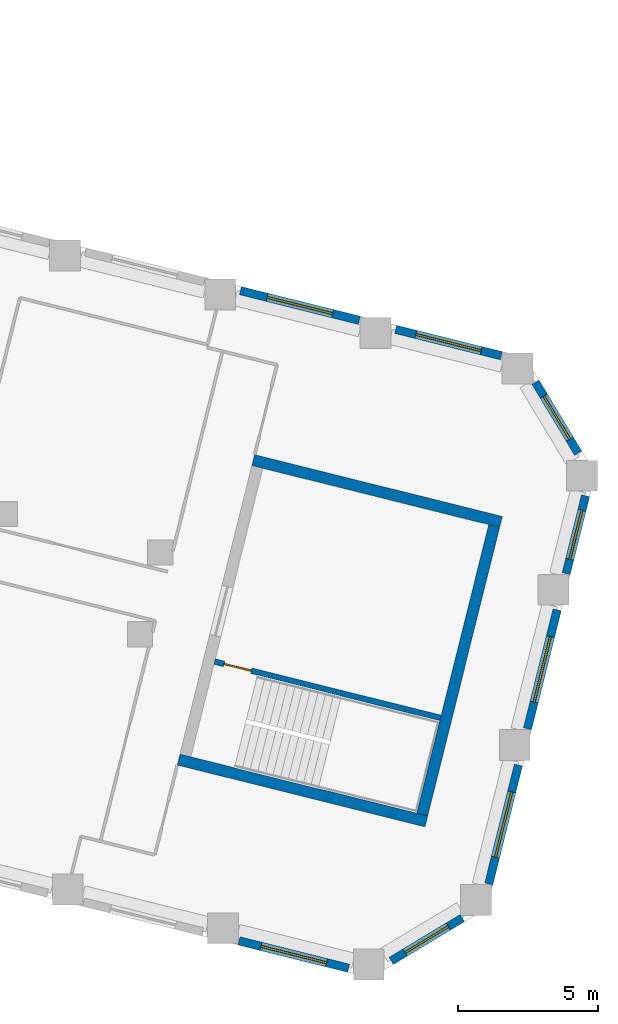
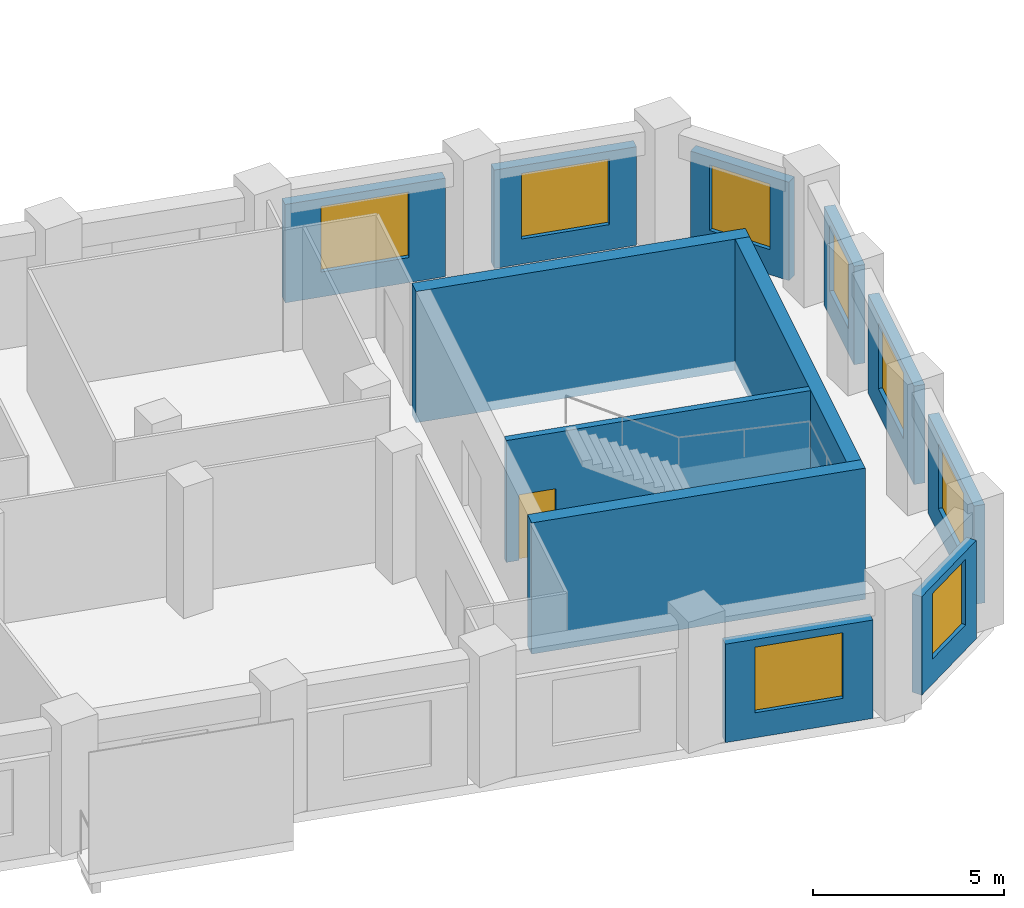
# One storey, part 7 of 10: 12 walls, 8 windows, 1 door, 9 openings.
"""IFC4 building model written with IfcOpenShell, lengths in metres."""

import ifcopenshell
import ifcopenshell.guid

model = None  # the IFC model being written
_history = None  # IfcOwnerHistory: only IFC2X3 demands one
_inside = {}  # id of a spatial element -> (the spatial element, [elements in it])
_under = {}  # id of a project, library or spatial element -> (it, [spatial elements below it])
_declared = {}  # id of a project -> (the project, [libraries it declares])
_typed = {}  # id of a type object -> (the type object, [elements of that type])
_made_of = {}  # id of a material, layer set ... -> (it, [elements and type objects made of it])


def new_model(schema):
    """Start an empty IFC model of exactly this schema.

    Asked for "IFC4X3", IfcOpenShell would pick the latest addendum, in which some entities
    have other attributes; the version numbers below select the first issue.
    IFC2X3 requires an IfcOwnerHistory on every rooted entity: one is made here for all.
    """
    global model, _history
    if schema == "IFC4X3":
        model = ifcopenshell.file(schema_version=(4, 3, 0, 0))
    else:
        model = ifcopenshell.file(schema=schema)
    _inside.clear()
    _under.clear()
    _declared.clear()
    _typed.clear()
    _made_of.clear()
    _history = None
    if model.schema == "IFC2X3":
        org = make("IfcOrganization", Name="unknown")
        user = make(
            "IfcPersonAndOrganization",
            ThePerson=make("IfcPerson", FamilyName="unknown"),
            TheOrganization=org,
        )
        app = make(
            "IfcApplication",
            ApplicationDeveloper=org,
            Version="unknown",
            ApplicationFullName="unknown",
            ApplicationIdentifier="unknown",
        )
        _history = make(
            "IfcOwnerHistory",
            OwningUser=user,
            OwningApplication=app,
            ChangeAction="ADDED",
            CreationDate=0,
        )
    return model


def make(cls, **values):
    """One entity of the class cls with the attributes given. An attribute that is None is left unset."""
    return model.create_entity(
        cls, **{name: value for name, value in values.items() if value is not None}
    )


def rooted(cls, **values):
    """An entity with a GlobalId (a new one), such as an element, a storey or a relation."""
    return make(cls, GlobalId=ifcopenshell.guid.new(), OwnerHistory=_history, **values)


def si_unit(unit_type, name, prefix=None):
    """IfcSIUnit, for example si_unit("LENGTHUNIT", "METRE", prefix="MILLI")."""
    return make("IfcSIUnit", UnitType=unit_type, Prefix=prefix, Name=name)


def assignment(units):
    """IfcUnitAssignment: the units of a project."""
    return None if units is None else make("IfcUnitAssignment", Units=units)


def point(xyz):
    """IfcCartesianPoint."""
    return None if xyz is None else make("IfcCartesianPoint", Coordinates=xyz)


def direction(xyz):
    """IfcDirection."""
    return None if xyz is None else make("IfcDirection", DirectionRatios=xyz)


def frame(location, z_axis=None, x_axis=None):
    """IfcAxis2Placement3D, a coordinate frame: its origin and axes. An axis left out is left unset."""
    return make(
        "IfcAxis2Placement3D",
        Location=point(location),
        Axis=direction(z_axis),
        RefDirection=direction(x_axis),
    )


def frame_2d(location, x_axis=None):
    """IfcAxis2Placement2D, a coordinate frame in the plane: its origin and x axis."""
    return make(
        "IfcAxis2Placement2D", Location=point(location), RefDirection=direction(x_axis)
    )


def origin():
    """The frame at (0, 0, 0) with its axes left unset."""
    return frame((0.0, 0.0, 0.0))


def place(relative_to, where):
    """IfcLocalPlacement: puts the frame where relative to a parent placement (None: the world)."""
    return make(
        "IfcLocalPlacement", PlacementRelTo=relative_to, RelativePlacement=where
    )


def context(
    kind, dimensions, precision=None, world=None, true_north=None, identifier=None
):
    """IfcGeometricRepresentationContext, for example the 3D "Model" context."""
    return make(
        "IfcGeometricRepresentationContext",
        ContextIdentifier=identifier,
        ContextType=kind,
        CoordinateSpaceDimension=dimensions,
        Precision=precision,
        WorldCoordinateSystem=world,
        TrueNorth=true_north,
    )


def subcontext(parent, identifier, kind, view, scale=None):
    """IfcGeometricRepresentationSubContext, for example "Body" below "Model"."""
    return make(
        "IfcGeometricRepresentationSubContext",
        ContextIdentifier=identifier,
        ContextType=kind,
        ParentContext=parent,
        TargetScale=scale,
        TargetView=view,
    )


def project(units=None, contexts=None):
    """IfcProject with its units and contexts."""
    return rooted(
        "IfcProject",
        Name="project",
        RepresentationContexts=contexts,
        UnitsInContext=assignment(units),
    )


def spatial(cls, under=None, at=None, **own):
    """A site, building, storey or space (cls), placed at a placement, below another one or the project."""
    s = rooted(cls, ObjectPlacement=at, **own)
    if under is not None:
        _under.setdefault(under.id(), (under, []))[1].append(s)
    return s


def profile(cls, at=None, kind="AREA", **sizes):
    """A parametric profile (cls). Its sizes go by their IFC names, for example OverallWidth=200.0."""
    return make(cls, ProfileType=kind, Position=at, **sizes)


def rectangle(**sizes):
    """IfcRectangleProfileDef."""
    return profile("IfcRectangleProfileDef", **sizes)


def extrude(swept, where, along, depth):
    """IfcExtrudedAreaSolid: the profile swept, set in the frame where, extruded along a direction by depth."""
    return make(
        "IfcExtrudedAreaSolid",
        SweptArea=swept,
        Position=where,
        ExtrudedDirection=direction(along),
        Depth=depth,
    )


def shape(context_of_items, identifier, shape_type, items):
    """IfcShapeRepresentation: the items that make up one representation, for example the "Body"."""
    return make(
        "IfcShapeRepresentation",
        ContextOfItems=context_of_items,
        RepresentationIdentifier=identifier,
        RepresentationType=shape_type,
        Items=items,
    )


def material(Name=None, Category=None):
    """IfcMaterial."""
    return make("IfcMaterial", Name=Name, Category=Category)


def layer(
    of_material, thickness, ventilated=None, Name=None, Category=None, Priority=None
):
    """IfcMaterialLayer: one layer of a wall or slab, of a material (None: an air gap)."""
    return make(
        "IfcMaterialLayer",
        Material=of_material,
        LayerThickness=thickness,
        IsVentilated=ventilated,
        Name=Name,
        Category=Category,
        Priority=Priority,
    )


def layer_set(layers, Name=None):
    """IfcMaterialLayerSet."""
    return make("IfcMaterialLayerSet", MaterialLayers=layers, LayerSetName=Name)


def made_of(thing, what):
    """Note that an element or type object is made of a material, layer set ...; save() writes the relation."""
    if what is not None:
        _made_of.setdefault(what.id(), (what, []))[1].append(thing)
    return thing


def type_object(cls, material=None, **own):
    """A type object (cls), such as IfcWallType, which elements share."""
    return made_of(rooted(cls, **own), material)


def element(
    cls,
    number,
    at=None,
    inside=None,
    cuts=None,
    type_object=None,
    material=None,
    context=None,
    identifier="Body",
    shape_type=None,
    held_by="IfcProductDefinitionShape",
    body=None,
    shapes=None,
    **own,
):
    """One element of the class cls, such as IfcWall. Its Tag is "e" and its number.

    at: its placement. inside: the storey or other place that contains it. cuts: it is an
    opening in that element (IfcRelVoidsElement). A single representation is given by context,
    identifier, shape_type and body (its items); several are given by shapes. held_by: the class
    of the entity that holds the representations. save() writes the other relations.
    """
    e = rooted(cls, Tag="e%d" % number, ObjectPlacement=at, **own)
    if body is not None:
        shapes = [shape(context, identifier, shape_type, body)]
    if shapes is not None:
        e.Representation = make(held_by, Representations=shapes)
    if inside is not None:
        _inside.setdefault(inside.id(), (inside, []))[1].append(e)
    if cuts is not None:
        rooted(
            "IfcRelVoidsElement", RelatingBuildingElement=cuts, RelatedOpeningElement=e
        )
    if type_object is not None:
        _typed.setdefault(type_object.id(), (type_object, []))[1].append(e)
    return made_of(e, material)


def fill(opening, filler):
    """IfcRelFillsElement: the door or window that sits in an opening."""
    return rooted(
        "IfcRelFillsElement",
        RelatingOpeningElement=opening,
        RelatedBuildingElement=filler,
    )


def aggregate(whole, parts):
    """IfcRelAggregates: a whole, such as a stair, and the parts it consists of."""
    return rooted("IfcRelAggregates", RelatingObject=whole, RelatedObjects=parts)


def save(model, path):
    """Write the relations noted so far, then the file.

    IfcRelAggregates (storeys below a building ...), IfcRelContainedInSpatialStructure (elements
    in a storey), IfcRelDefinesByType, IfcRelAssociatesMaterial and IfcRelDeclares: one each for
    every whole, place, type object, material and project.
    """
    for whole, parts in _under.values():
        aggregate(whole, parts)
    for where, things in _inside.values():
        rooted(
            "IfcRelContainedInSpatialStructure",
            RelatedElements=things,
            RelatingStructure=where,
        )
    for kind, things in _typed.values():
        rooted("IfcRelDefinesByType", RelatedObjects=things, RelatingType=kind)
    for what, things in _made_of.values():
        rooted("IfcRelAssociatesMaterial", RelatedObjects=things, RelatingMaterial=what)
    for by, libraries in _declared.values():
        rooted("IfcRelDeclares", RelatingContext=by, RelatedDefinitions=libraries)
    model.write(path)


model = new_model("IFC4")

# Units and contexts
model_context = context("Model", 3, precision=1e-05, world=origin(), true_north=direction((0.0, 1.0)))
body_context = subcontext(model_context, "Body", "Model", "MODEL_VIEW")
ifc_project = project(units=[si_unit("LENGTHUNIT", "METRE"), si_unit("AREAUNIT", "SQUARE_METRE"), si_unit("VOLUMEUNIT", "CUBIC_METRE"), si_unit("PLANEANGLEUNIT", "RADIAN"), si_unit("MASSUNIT", "GRAM", prefix="KILO")], contexts=[model_context])

# Site, building, storey
site_placement = place(None, origin())
site = spatial("IfcSite", under=ifc_project, at=site_placement, CompositionType="ELEMENT")
building_placement = place(site_placement, origin())
building = spatial("IfcBuilding", under=site, at=building_placement, Name="Meshkara Civic Tower", CompositionType="ELEMENT")
storey_placement = place(building_placement, frame((0.0, 0.0, 234.0)))
storey = spatial("IfcBuildingStorey", under=building, at=storey_placement, Name="L53", CompositionType="ELEMENT", Elevation=234.0)

# Wall, opening, window
ifc_material_1 = material(Name="Insulated infill panel with bronze anodised aluminium cladding", Category="aluminium")
ifc_layer_1 = layer(ifc_material_1, 0.300048828125)
ifc_layer_set_1 = layer_set([ifc_layer_1], Name="EXTERNAL INFILL WALL 300")
wall_type_1 = type_object("IfcWallType", Name="EXTERNAL INFILL WALL 300", PredefinedType="SOLIDWALL", material=ifc_layer_set_1)
wall_1_placement = place(storey_placement, frame((71.02001953125, 5.635986328125, 0.0), z_axis=(0.0, 0.0, 1.0), x_axis=(-0.970297701374, 0.241913973777, 0.0)))
wall_1 = element("IfcWall", 1, at=wall_1_placement, inside=storey, type_object=wall_type_1, Name="External wall", PredefinedType="SOLIDWALL", context=body_context, shape_type="SweptSolid", body=[
    extrude(rectangle(XDim=3.88134765625, YDim=0.300048828125, at=frame_2d((1.940673828125, 0.0))), origin(), (0.0, 0.0, 1.0), 3.14990234375),
])
opening_1_placement = place(wall_1_placement, frame((0.740966796875, 0.0, 0.800048828125)))
opening_1 = element("IfcOpeningElement", 2, at=opening_1_placement, cuts=wall_1, Name="Opening W7", PredefinedType="OPENING", context=body_context, shape_type="SweptSolid", body=[
    extrude(rectangle(XDim=2.39990234375, YDim=2.10009765625, at=frame_2d((1.199951171875, 1.050048828125))), frame((0.0, 0.159912109375, 0.0), z_axis=(0.0, -1.0, 0.0), x_axis=(1.0, 0.0, 0.0)), (0.0, 0.0, 1.0), 0.320068359375),
])
ifc_material_2 = material(Name="Tinted double glazing", Category="glass")
window_type_1 = type_object("IfcWindowType", Name="WINDOW 2400x2100", PartitioningType="DOUBLE_PANEL_VERTICAL", PredefinedType="WINDOW", material=ifc_material_2)
window_1_placement = place(opening_1_placement, origin())
window_1 = element("IfcWindow", 3, at=window_1_placement, inside=storey, type_object=window_type_1, Name="Window", OverallHeight=2.10009765625, OverallWidth=2.39990234375, PartitioningType="DOUBLE_PANEL_VERTICAL", PredefinedType="WINDOW", context=body_context, shape_type="SweptSolid", body=[
    extrude(rectangle(XDim=2.39990234375, YDim=2.10009765625, at=frame_2d((1.199951171875, 1.050048828125))), frame((0.0, 0.030029296875, 0.0), z_axis=(0.0, -1.0, 0.0), x_axis=(1.0, 0.0, 0.0)), (0.0, 0.0, 1.0), 0.06005859375),
])
fill(opening_1, window_1)

wall_2_placement = place(storey_placement, frame((65.9599609375, 6.89794921875, 0.0), z_axis=(0.0, 0.0, 1.0), x_axis=(-0.970309996763, 0.241864652607, 0.0)))
wall_2 = element("IfcWall", 4, at=wall_2_placement, inside=storey, type_object=wall_type_1, Name="External wall", PredefinedType="SOLIDWALL", context=body_context, shape_type="SweptSolid", body=[
    extrude(rectangle(XDim=4.36669921875, YDim=0.300048828125, at=frame_2d((2.183349609375, 0.0))), origin(), (0.0, 0.0, 1.0), 3.14990234375),
])
opening_2_placement = place(wall_2_placement, frame((0.98291015625, 0.0, 0.800048828125)))
opening_2 = element("IfcOpeningElement", 5, at=opening_2_placement, cuts=wall_2, Name="Opening W7", PredefinedType="OPENING", context=body_context, shape_type="SweptSolid", body=[
    extrude(rectangle(XDim=2.39990234375, YDim=2.10009765625, at=frame_2d((1.199951171875, 1.050048828125))), frame((0.0, 0.159912109375, 0.0), z_axis=(0.0, -1.0, 0.0), x_axis=(1.0, 0.0, 0.0)), (0.0, 0.0, 1.0), 0.320068359375),
])
window_2_placement = place(opening_2_placement, origin())
window_2 = element("IfcWindow", 6, at=window_2_placement, inside=storey, type_object=window_type_1, Name="Window", OverallHeight=2.10009765625, OverallWidth=2.39990234375, PartitioningType="DOUBLE_PANEL_VERTICAL", PredefinedType="WINDOW", context=body_context, shape_type="SweptSolid", body=[
    extrude(rectangle(XDim=2.39990234375, YDim=2.10009765625, at=frame_2d((1.199951171875, 1.050048828125))), frame((0.0, 0.030029296875, 0.0), z_axis=(0.0, -1.0, 0.0), x_axis=(1.0, 0.0, 0.0)), (0.0, 0.0, 1.0), 0.06005859375),
])
fill(opening_2, window_2)

wall_3_placement = place(storey_placement, frame((61.6708984375, -15.220947265625, 0.0), z_axis=(0.0, 0.0, 1.0), x_axis=(0.97026726112, -0.242036034503, 0.0)))
wall_3 = element("IfcWall", 7, at=wall_3_placement, inside=storey, type_object=wall_type_1, Name="External wall", PredefinedType="SOLIDWALL", context=body_context, shape_type="SweptSolid", body=[
    extrude(rectangle(XDim=4.024658203125, YDim=0.300048828125, at=frame_2d((2.01220703125, 0.0))), origin(), (0.0, 0.0, 1.0), 3.14990234375),
])
opening_3_placement = place(wall_3_placement, frame((0.81201171875, 0.0, 0.800048828125)))
opening_3 = element("IfcOpeningElement", 8, at=opening_3_placement, cuts=wall_3, Name="Opening W7", PredefinedType="OPENING", context=body_context, shape_type="SweptSolid", body=[
    extrude(rectangle(XDim=2.39990234375, YDim=2.10009765625, at=frame_2d((1.199951171875, 1.050048828125))), frame((0.0, 0.159912109375, 0.0), z_axis=(0.0, -1.0, 0.0), x_axis=(1.0, 0.0, 0.0)), (0.0, 0.0, 1.0), 0.320068359375),
])
window_3_placement = place(opening_3_placement, origin())
window_3 = element("IfcWindow", 9, at=window_3_placement, inside=storey, type_object=window_type_1, Name="Window", OverallHeight=2.10009765625, OverallWidth=2.39990234375, PartitioningType="DOUBLE_PANEL_VERTICAL", PredefinedType="WINDOW", context=body_context, shape_type="SweptSolid", body=[
    extrude(rectangle(XDim=2.39990234375, YDim=2.10009765625, at=frame_2d((1.199951171875, 1.050048828125))), frame((0.0, 0.030029296875, 0.0), z_axis=(0.0, -1.0, 0.0), x_axis=(1.0, 0.0, 0.0)), (0.0, 0.0, 1.0), 0.06005859375),
])
fill(opening_3, window_3)

wall_4_placement = place(storey_placement, frame((67.097900390625, -15.93408203125, 0.0), z_axis=(0.0, 0.0, 1.0), x_axis=(0.857077006791, 0.515188319384, 0.0)))
wall_4 = element("IfcWall", 10, at=wall_4_placement, inside=storey, type_object=wall_type_1, Name="External wall", PredefinedType="SOLIDWALL", context=body_context, shape_type="SweptSolid", body=[
    extrude(rectangle(XDim=2.9541015625, YDim=0.300048828125, at=frame_2d((1.47705078125, 0.0))), origin(), (0.0, 0.0, 1.0), 3.14990234375),
])
opening_4_placement = place(wall_4_placement, frame((0.576904296875, 0.0, 0.800048828125)))
opening_4 = element("IfcOpeningElement", 11, at=opening_4_placement, cuts=wall_4, Name="Opening W9", PredefinedType="OPENING", context=body_context, shape_type="SweptSolid", body=[
    extrude(rectangle(XDim=1.800048828125, YDim=2.10009765625, at=frame_2d((0.89990234375, 1.050048828125))), frame((0.0, 0.159912109375, 0.0), z_axis=(0.0, -1.0, 0.0), x_axis=(1.0, 0.0, 0.0)), (0.0, 0.0, 1.0), 0.320068359375),
])
ifc_material_3 = material(Name="Tinted double glazing", Category="glass")
window_type_2 = type_object("IfcWindowType", Name="WINDOW 1800x2100", PartitioningType="DOUBLE_PANEL_VERTICAL", PredefinedType="WINDOW", material=ifc_material_3)
window_4_placement = place(opening_4_placement, origin())
window_4 = element("IfcWindow", 12, at=window_4_placement, inside=storey, type_object=window_type_2, Name="Window", OverallHeight=2.10009765625, OverallWidth=1.800048828125, PartitioningType="DOUBLE_PANEL_VERTICAL", PredefinedType="WINDOW", context=body_context, shape_type="SweptSolid", body=[
    extrude(rectangle(XDim=1.800048828125, YDim=2.10009765625, at=frame_2d((0.89990234375, 1.050048828125))), frame((0.0, 0.030029296875, 0.0), z_axis=(0.0, -1.0, 0.0), x_axis=(1.0, 0.0, 0.0)), (0.0, 0.0, 1.0), 0.06005859375),
])
fill(opening_4, window_4)

wall_5_placement = place(storey_placement, frame((70.574951171875, -13.19189453125, 0.0), z_axis=(0.0, 0.0, 1.0), x_axis=(0.241877774353, 0.970306725873, 0.0)))
wall_5 = element("IfcWall", 13, at=wall_5_placement, inside=storey, type_object=wall_type_1, Name="External wall", PredefinedType="SOLIDWALL", context=body_context, shape_type="SweptSolid", body=[
    extrude(rectangle(XDim=4.366455078125, YDim=0.300048828125, at=frame_2d((2.18310546875, 0.0))), origin(), (0.0, 0.0, 1.0), 3.14990234375),
])
opening_5_placement = place(wall_5_placement, frame((0.98291015625, 0.0, 0.800048828125)))
opening_5 = element("IfcOpeningElement", 14, at=opening_5_placement, cuts=wall_5, Name="Opening W7", PredefinedType="OPENING", context=body_context, shape_type="SweptSolid", body=[
    extrude(rectangle(XDim=2.39990234375, YDim=2.10009765625, at=frame_2d((1.199951171875, 1.050048828125))), frame((0.0, 0.159912109375, 0.0), z_axis=(0.0, -1.0, 0.0), x_axis=(1.0, 0.0, 0.0)), (0.0, 0.0, 1.0), 0.320068359375),
])
window_5_placement = place(opening_5_placement, origin())
window_5 = element("IfcWindow", 15, at=window_5_placement, inside=storey, type_object=window_type_1, Name="Window", OverallHeight=2.10009765625, OverallWidth=2.39990234375, PartitioningType="DOUBLE_PANEL_VERTICAL", PredefinedType="WINDOW", context=body_context, shape_type="SweptSolid", body=[
    extrude(rectangle(XDim=2.39990234375, YDim=2.10009765625, at=frame_2d((1.199951171875, 1.050048828125))), frame((0.0, 0.030029296875, 0.0), z_axis=(0.0, -1.0, 0.0), x_axis=(1.0, 0.0, 0.0)), (0.0, 0.0, 1.0), 0.06005859375),
])
fill(opening_5, window_5)

wall_6_placement = place(storey_placement, frame((71.9541015625, -7.660888671875, 0.0), z_axis=(0.0, 0.0, 1.0), x_axis=(0.241877622649, 0.97030676369, 0.0)))
wall_6 = element("IfcWall", 16, at=wall_6_placement, inside=storey, type_object=wall_type_1, Name="External wall", PredefinedType="SOLIDWALL", context=body_context, shape_type="SweptSolid", body=[
    extrude(rectangle(XDim=4.365478515625, YDim=0.300048828125, at=frame_2d((2.1826171875, 0.0))), origin(), (0.0, 0.0, 1.0), 3.14990234375),
])
opening_6_placement = place(wall_6_placement, frame((0.98291015625, 0.0, 0.800048828125)))
opening_6 = element("IfcOpeningElement", 17, at=opening_6_placement, cuts=wall_6, Name="Opening W7", PredefinedType="OPENING", context=body_context, shape_type="SweptSolid", body=[
    extrude(rectangle(XDim=2.39990234375, YDim=2.10009765625, at=frame_2d((1.199951171875, 1.050048828125))), frame((0.0, 0.159912109375, 0.0), z_axis=(0.0, -1.0, 0.0), x_axis=(1.0, 0.0, 0.0)), (0.0, 0.0, 1.0), 0.320068359375),
])
window_6_placement = place(opening_6_placement, origin())
window_6 = element("IfcWindow", 18, at=window_6_placement, inside=storey, type_object=window_type_1, Name="Window", OverallHeight=2.10009765625, OverallWidth=2.39990234375, PartitioningType="DOUBLE_PANEL_VERTICAL", PredefinedType="WINDOW", context=body_context, shape_type="SweptSolid", body=[
    extrude(rectangle(XDim=2.39990234375, YDim=2.10009765625, at=frame_2d((1.199951171875, 1.050048828125))), frame((0.0, 0.030029296875, 0.0), z_axis=(0.0, -1.0, 0.0), x_axis=(1.0, 0.0, 0.0)), (0.0, 0.0, 1.0), 0.06005859375),
])
fill(opening_6, window_6)

wall_7_placement = place(storey_placement, frame((73.3330078125, -2.131103515625, 0.0), z_axis=(0.0, 0.0, 1.0), x_axis=(0.241770612026, 0.970333432981, 0.0)))
wall_7 = element("IfcWall", 19, at=wall_7_placement, inside=storey, type_object=wall_type_1, Name="External wall", PredefinedType="SOLIDWALL", context=body_context, shape_type="SweptSolid", body=[
    extrude(rectangle(XDim=2.853759765625, YDim=0.300048828125, at=frame_2d((1.4267578125, 0.0))), origin(), (0.0, 0.0, 1.0), 3.14990234375),
])
opening_7_placement = place(wall_7_placement, frame((0.527099609375, 0.0, 0.800048828125)))
opening_7 = element("IfcOpeningElement", 20, at=opening_7_placement, cuts=wall_7, Name="Opening W9", PredefinedType="OPENING", context=body_context, shape_type="SweptSolid", body=[
    extrude(rectangle(XDim=1.800048828125, YDim=2.10009765625, at=frame_2d((0.89990234375, 1.050048828125))), frame((0.0, 0.159912109375, 0.0), z_axis=(0.0, -1.0, 0.0), x_axis=(1.0, 0.0, 0.0)), (0.0, 0.0, 1.0), 0.320068359375),
])
window_7_placement = place(opening_7_placement, origin())
window_7 = element("IfcWindow", 21, at=window_7_placement, inside=storey, type_object=window_type_2, Name="Window", OverallHeight=2.10009765625, OverallWidth=1.800048828125, PartitioningType="DOUBLE_PANEL_VERTICAL", PredefinedType="WINDOW", context=body_context, shape_type="SweptSolid", body=[
    extrude(rectangle(XDim=1.800048828125, YDim=2.10009765625, at=frame_2d((0.89990234375, 1.050048828125))), frame((0.0, 0.030029296875, 0.0), z_axis=(0.0, -1.0, 0.0), x_axis=(1.0, 0.0, 0.0)), (0.0, 0.0, 1.0), 0.06005859375),
])
fill(opening_7, window_7)

wall_8_placement = place(storey_placement, frame((73.761962890625, 2.159912109375, 0.0), z_axis=(0.0, 0.0, 1.0), x_axis=(-0.515334317037, 0.856989230786, 0.0)))
wall_8 = element("IfcWall", 22, at=wall_8_placement, inside=storey, type_object=wall_type_1, Name="External wall", PredefinedType="SOLIDWALL", context=body_context, shape_type="SweptSolid", body=[
    extrude(rectangle(XDim=2.953369140625, YDim=0.300048828125, at=frame_2d((1.4765625, 0.0))), origin(), (0.0, 0.0, 1.0), 3.14990234375),
])
opening_8_placement = place(wall_8_placement, frame((0.576904296875, 0.0, 0.800048828125)))
opening_8 = element("IfcOpeningElement", 23, at=opening_8_placement, cuts=wall_8, Name="Opening W9", PredefinedType="OPENING", context=body_context, shape_type="SweptSolid", body=[
    extrude(rectangle(XDim=1.800048828125, YDim=2.10009765625, at=frame_2d((0.89990234375, 1.050048828125))), frame((0.0, 0.159912109375, 0.0), z_axis=(0.0, -1.0, 0.0), x_axis=(1.0, 0.0, 0.0)), (0.0, 0.0, 1.0), 0.320068359375),
])
window_8_placement = place(opening_8_placement, origin())
window_8 = element("IfcWindow", 24, at=window_8_placement, inside=storey, type_object=window_type_2, Name="Window", OverallHeight=2.10009765625, OverallWidth=1.800048828125, PartitioningType="DOUBLE_PANEL_VERTICAL", PredefinedType="WINDOW", context=body_context, shape_type="SweptSolid", body=[
    extrude(rectangle(XDim=1.800048828125, YDim=2.10009765625, at=frame_2d((0.89990234375, 1.050048828125))), frame((0.0, 0.030029296875, 0.0), z_axis=(0.0, -1.0, 0.0), x_axis=(1.0, 0.0, 0.0)), (0.0, 0.0, 1.0), 0.06005859375),
])
fill(opening_8, window_8)

# Walls
ifc_material_4 = material(Name="Concrete C60", Category="concrete")
ifc_layer_2 = layer(ifc_material_4, 0.39990234375)
ifc_layer_set_2 = layer_set([ifc_layer_2], Name="End core ring wall 400 C60")
wall_type_2 = type_object("IfcWallType", Name="End core ring wall 400 C60", PredefinedType="SHEAR", material=ifc_layer_set_2)
wall_9_placement = place(storey_placement, frame((59.51904296875, -8.759033203125, -0.300048828125), z_axis=(0.0, 0.0, 1.0), x_axis=(0.970287509026, -0.241954850805, 0.0)))
element("IfcWall", 25, at=wall_9_placement, inside=storey, type_object=wall_type_2, Name="L53-C028", PredefinedType="SHEAR", context=body_context, shape_type="SweptSolid", body=[
    extrude(rectangle(XDim=9.1005859375, YDim=0.39990234375, at=frame_2d((4.55029296875, 0.0))), origin(), (0.0, 0.0, 1.0), 4.199951171875),
])
wall_10_placement = place(storey_placement, frame((62.179931640625, 1.9140625, -0.300048828125), z_axis=(0.0, 0.0, 1.0), x_axis=(0.970306400786, -0.241879078453, 0.0)))
element("IfcWall", 26, at=wall_10_placement, inside=storey, type_object=wall_type_2, Name="L53-C029", PredefinedType="SHEAR", context=body_context, shape_type="SweptSolid", body=[
    extrude(rectangle(XDim=9.100341796875, YDim=0.39990234375, at=frame_2d((4.55029296875, 0.0))), origin(), (0.0, 0.0, 1.0), 4.199951171875),
])
wall_11_placement = place(storey_placement, frame((68.202880859375, -10.718017578125, -0.300048828125), z_axis=(0.0, 0.0, 1.0), x_axis=(0.241912337509, 0.970298109326, 0.0)))
element("IfcWall", 27, at=wall_11_placement, inside=storey, type_object=wall_type_2, Name="L53-C031", PredefinedType="SHEAR", context=body_context, shape_type="SweptSolid", body=[
    extrude(rectangle(XDim=10.599853515625, YDim=0.39990234375, at=frame_2d((5.2998046875, 0.0))), origin(), (0.0, 0.0, 1.0), 4.199951171875),
])

# Wall, opening, door
ifc_material_5 = material(Name="Concrete C40/50", Category="concrete")
ifc_layer_3 = layer(ifc_material_5, 0.199951171875)
ifc_layer_set_3 = layer_set([ifc_layer_3], Name="Stair enclosure wall 200 C40/50")
wall_type_3 = type_object("IfcWallType", Name="Stair enclosure wall 200 C40/50", PredefinedType="SOLIDWALL", material=ifc_layer_set_3)
wall_12_placement = place(storey_placement, frame((60.802001953125, -5.26611328125, 0.0), z_axis=(0.0, 0.0, 1.0), x_axis=(0.970303192681, -0.241891947516, 0.0)))
wall_12 = element("IfcWall", 28, at=wall_12_placement, inside=storey, type_object=wall_type_3, Name="L53-C032", PredefinedType="SOLIDWALL", context=body_context, shape_type="SweptSolid", body=[
    extrude(rectangle(XDim=8.300537109375, YDim=0.199951171875, at=frame_2d((4.150390625, 0.0))), origin(), (0.0, 0.0, 1.0), 3.89990234375),
])
opening_9_placement = place(wall_12_placement, frame((0.35009765625, 0.0, 0.0)))
opening_9 = element("IfcOpeningElement", 29, at=opening_9_placement, cuts=wall_12, Name="Opening L53-K201", PredefinedType="OPENING", context=body_context, shape_type="SweptSolid", body=[
    extrude(rectangle(XDim=1.0, YDim=2.10009765625, at=frame_2d((0.5, 1.050048828125))), frame((0.0, 0.10986328125, 0.0), z_axis=(0.0, -1.0, 0.0), x_axis=(1.0, 0.0, 0.0)), (0.0, 0.0, 1.0), 0.219970703125),
])
ifc_material_6 = material(Name="Fire-rated door leaf in steel frame", Category="steel")
door_type = type_object("IfcDoorType", Name="Stair door 1000 EI 120", OperationType="SINGLE_SWING_LEFT", PredefinedType="DOOR", material=ifc_material_6)
door_placement = place(opening_9_placement, origin())
door = element("IfcDoor", 30, at=door_placement, inside=storey, type_object=door_type, Name="L53-K201", OperationType="SINGLE_SWING_LEFT", OverallHeight=2.10009765625, OverallWidth=1.0, PredefinedType="DOOR", context=body_context, shape_type="SweptSolid", body=[
    extrude(rectangle(XDim=1.0, YDim=2.10009765625, at=frame_2d((0.5, 1.050048828125))), frame((0.0, 0.02490234375, 0.0), z_axis=(0.0, -1.0, 0.0), x_axis=(1.0, 0.0, 0.0)), (0.0, 0.0, 1.0), 0.050048828125),
])
fill(opening_9, door)

save(model, "model.ifc")
